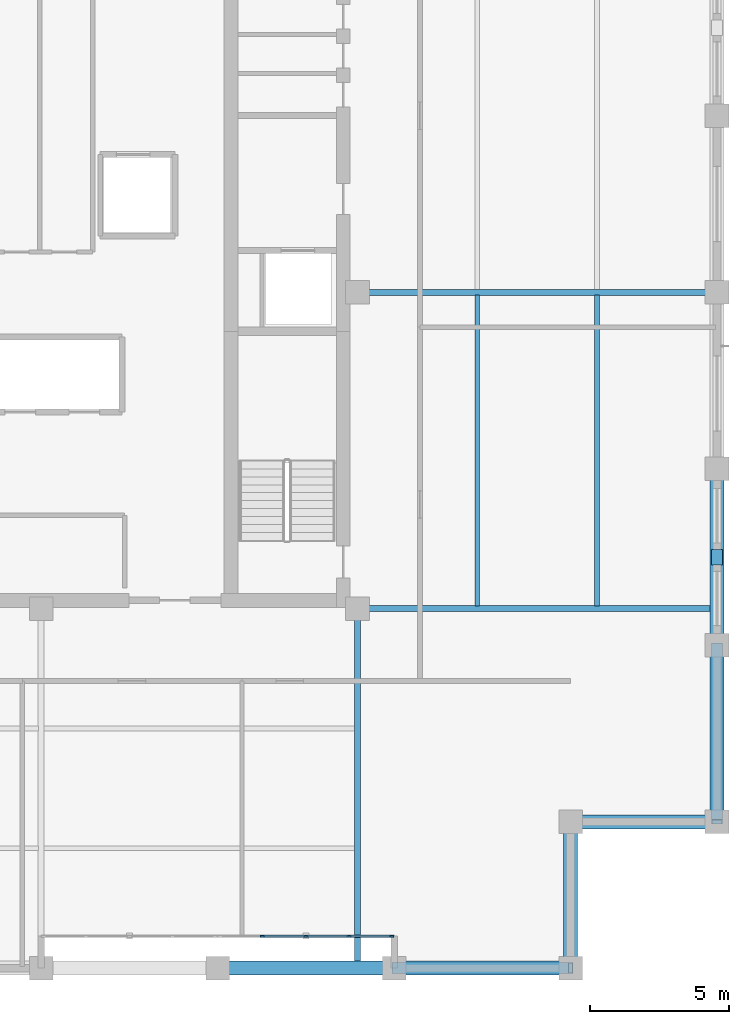
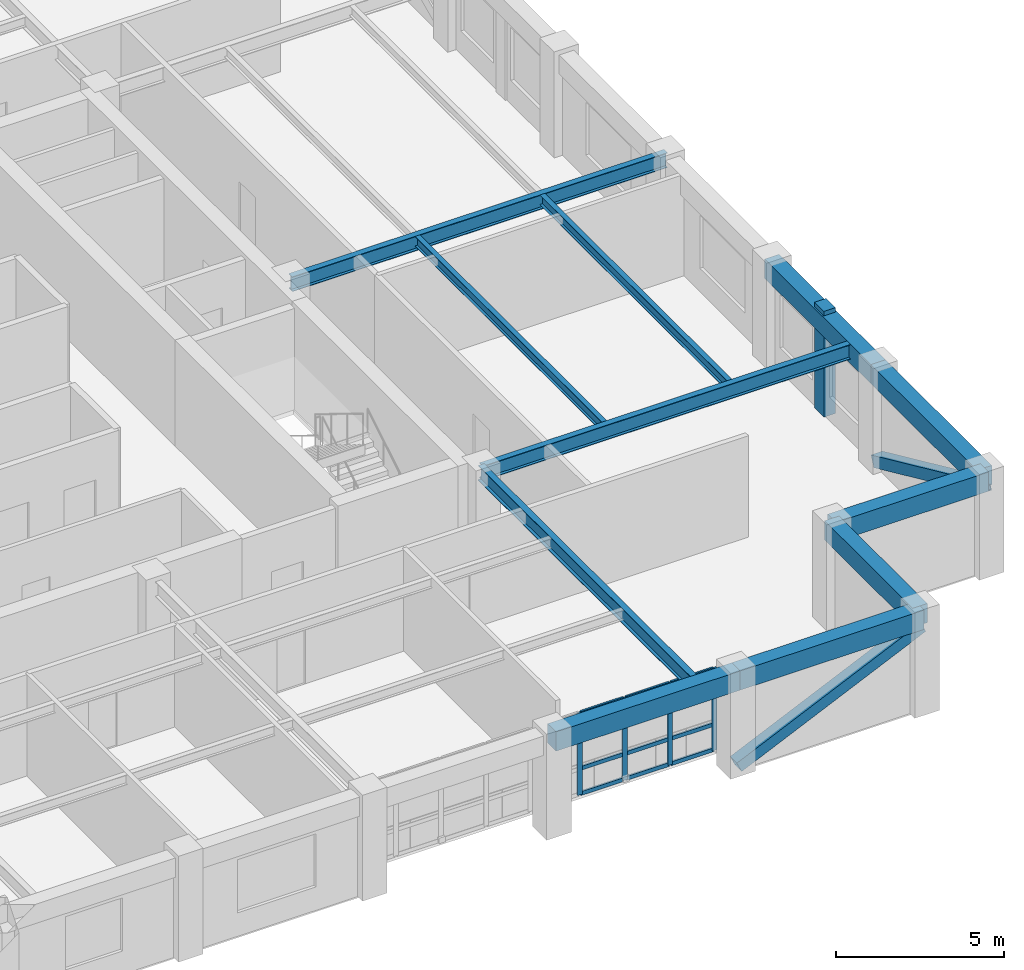
# One storey, part 4 of 13: 16 members, 11 beams, 1 element without a shape of its own.
"""IFC4 building model written with IfcOpenShell, lengths in metres."""

from ifc_helpers import new_model, si_unit, direction, frame, origin, origin_2d, place, context, subcontext, project, spatial, rectangle, hollow_rectangle, i_section, extrude, material, layer, layer_set, material_profile, profile_set, type_object, element, aggregate, save


model = new_model("IFC4")

# Units and contexts
model_context = context("Model", 3, precision=1e-05, world=origin(), true_north=direction((0.0, 1.0)))
body_context = subcontext(model_context, "Body", "Model", "MODEL_VIEW")
ifc_project = project(units=[si_unit("LENGTHUNIT", "METRE"), si_unit("AREAUNIT", "SQUARE_METRE"), si_unit("VOLUMEUNIT", "CUBIC_METRE"), si_unit("PLANEANGLEUNIT", "RADIAN"), si_unit("MASSUNIT", "GRAM", prefix="KILO")], contexts=[model_context])

# Site, building, storey
site_placement = place(None, origin())
site = spatial("IfcSite", under=ifc_project, at=site_placement, CompositionType="ELEMENT")
building_placement = place(site_placement, origin())
building = spatial("IfcBuilding", under=site, at=building_placement, Name="Nhamokura Convention Tower", CompositionType="ELEMENT")
storey_placement = place(building_placement, frame((0.0, 0.0, 206.14990234375)))
storey = spatial("IfcBuildingStorey", under=building, at=storey_placement, Name="L50", CompositionType="ELEMENT", Elevation=206.14990234375)

# Member
ifc_material_1 = material(Name="Bronze-pigmented precast concrete C45/55", Category="concrete")
ifc_material_profile_1 = material_profile(ifc_material_1, rectangle(XDim=0.39990234375, YDim=0.550048828125, at=origin_2d()))
ifc_profile_set_1 = profile_set([ifc_material_profile_1], Name="Bronze-pigmented precast concrete C45/55")
member_type_1 = type_object("IfcMemberType", Name="BronzePilaster_550", PredefinedType="USERDEFINED", material=ifc_profile_set_1)
member_1_placement = place(storey_placement, frame((56.25, 22.5, 0.0), z_axis=(0.0, 0.0, 1.0), x_axis=(1.0, 0.0, 0.0)))
element("IfcMember", 1, at=member_1_placement, inside=storey, type_object=member_type_1, Name="L50 Engaged Frame Pilaster EAST 1", ObjectType="PILASTER_TRIM", PredefinedType="USERDEFINED", context=body_context, shape_type="SweptSolid", body=[
    extrude(rectangle(XDim=0.39990234375, YDim=0.550048828125, at=origin_2d()), origin(), (0.0, 0.0, 1.0), 3.85009765625),
])

# Curtain wall, members
ifc_material_2 = material(Name="Anodised bronze aluminium AA6063-T6", Category="aluminium")
ifc_layer = layer(ifc_material_2, 0.155029296875)
ifc_layer_set = layer_set([ifc_layer], Name="CWSystem_ScaleSlot_Zone3")
curtain_wall_type = type_object("IfcCurtainWallType", Name="CWSystem_ScaleSlot_Zone3", PredefinedType="NOTDEFINED", material=ifc_layer_set)
curtain_wall_placement = place(storey_placement, origin())
curtain_wall = element("IfcCurtainWall", 2, at=curtain_wall_placement, inside=storey, type_object=curtain_wall_type, Name="L50 Curtain Wall ENV-L50-SLOT-S4", PredefinedType="NOTDEFINED")
ifc_material_3 = material(Name="Anodised bronze aluminium AA6063-T6", Category="aluminium")
ifc_material_profile_2 = material_profile(ifc_material_3, rectangle(XDim=0.06494140625, YDim=0.1650390625, at=origin_2d()))
ifc_profile_set_2 = profile_set([ifc_material_profile_2], Name="Anodised bronze aluminium AA6063-T6")
member_type_2 = type_object("IfcMemberType", Name="CWMullion_3", PredefinedType="MULLION", material=ifc_profile_set_2)
member_2_placement = place(storey_placement, frame((44.57421875, 8.89990234375, 0.0), z_axis=(0.0, 0.0, 1.0), x_axis=(0.0, -1.0, 0.0)))
member_2 = element("IfcMember", 3, at=member_2_placement, type_object=member_type_2, Name="CW-05 mullion 1", PredefinedType="MULLION", context=body_context, shape_type="SweptSolid", body=[
    extrude(rectangle(XDim=0.06494140625, YDim=0.1650390625, at=origin_2d()), origin(), (0.0, 0.0, 1.0), 2.985107421875),
])
member_3_placement = place(storey_placement, frame((43.053466796875, 8.89990234375, 0.0), z_axis=(0.0, 0.0, 1.0), x_axis=(0.0, -1.0, 0.0)))
member_3 = element("IfcMember", 4, at=member_3_placement, type_object=member_type_2, Name="CW-05 mullion 2", PredefinedType="MULLION", context=body_context, shape_type="SweptSolid", body=[
    extrude(rectangle(XDim=0.06494140625, YDim=0.1650390625, at=origin_2d()), origin(), (0.0, 0.0, 1.0), 2.985107421875),
])
member_4_placement = place(storey_placement, frame((41.5, 8.89990234375, 0.0), z_axis=(0.0, 0.0, 1.0), x_axis=(0.0, -1.0, 0.0)))
member_4 = element("IfcMember", 5, at=member_4_placement, type_object=member_type_2, Name="CW-05 mullion 3", PredefinedType="MULLION", context=body_context, shape_type="SweptSolid", body=[
    extrude(rectangle(XDim=0.06494140625, YDim=0.1650390625, at=origin_2d()), origin(), (0.0, 0.0, 1.0), 2.985107421875),
])
member_5_placement = place(storey_placement, frame((39.946533203125, 8.89990234375, 0.0), z_axis=(0.0, 0.0, 1.0), x_axis=(0.0, -1.0, 0.0)))
member_5 = element("IfcMember", 6, at=member_5_placement, type_object=member_type_2, Name="CW-05 mullion 4", PredefinedType="MULLION", context=body_context, shape_type="SweptSolid", body=[
    extrude(rectangle(XDim=0.06494140625, YDim=0.1650390625, at=origin_2d()), origin(), (0.0, 0.0, 1.0), 2.985107421875),
])
ifc_material_4 = material(Name="Anodised bronze aluminium AA6063-T6", Category="aluminium")
ifc_material_profile_3 = material_profile(ifc_material_4, rectangle(XDim=0.06494140625, YDim=0.139892578125, at=origin_2d()))
ifc_profile_set_3 = profile_set([ifc_material_profile_3], Name="Anodised bronze aluminium AA6063-T6")
member_type_3 = type_object("IfcMemberType", Name="CWTransom_3", PredefinedType="USERDEFINED", material=ifc_profile_set_3)
member_6_placement = place(storey_placement, frame((44.541748046875, 8.89990234375, 0.03271484375), z_axis=(-1.0, 0.0, 0.0), x_axis=(0.0, -1.0, 0.0)))
member_6 = element("IfcMember", 7, at=member_6_placement, type_object=member_type_3, Name="CW-05 transom 1.1", ObjectType="TRANSOM", PredefinedType="USERDEFINED", context=body_context, shape_type="SweptSolid", body=[
    extrude(rectangle(XDim=0.06494140625, YDim=0.139892578125, at=origin_2d()), origin(), (0.0, 0.0, 1.0), 1.455810546875),
])
member_7_placement = place(storey_placement, frame((44.541748046875, 8.89990234375, 0.9501953125), z_axis=(-1.0, 0.0, 0.0), x_axis=(0.0, -1.0, 0.0)))
member_7 = element("IfcMember", 8, at=member_7_placement, type_object=member_type_3, Name="CW-05 transom 1.2", ObjectType="TRANSOM", PredefinedType="USERDEFINED", context=body_context, shape_type="SweptSolid", body=[
    extrude(rectangle(XDim=0.06494140625, YDim=0.139892578125, at=origin_2d()), origin(), (0.0, 0.0, 1.0), 1.455810546875),
])
member_8_placement = place(storey_placement, frame((44.541748046875, 8.89990234375, 2.95263671875), z_axis=(-1.0, 0.0, 0.0), x_axis=(0.0, -1.0, 0.0)))
member_8 = element("IfcMember", 9, at=member_8_placement, type_object=member_type_3, Name="CW-05 transom 1.3", ObjectType="TRANSOM", PredefinedType="USERDEFINED", context=body_context, shape_type="SweptSolid", body=[
    extrude(rectangle(XDim=0.06494140625, YDim=0.139892578125, at=origin_2d()), origin(), (0.0, 0.0, 1.0), 1.455810546875),
])
member_9_placement = place(storey_placement, frame((43.020751953125, 8.89990234375, 0.03271484375), z_axis=(-1.0, 0.0, 0.0), x_axis=(0.0, -1.0, 0.0)))
member_9 = element("IfcMember", 10, at=member_9_placement, type_object=member_type_3, Name="CW-05 transom 2.1", ObjectType="TRANSOM", PredefinedType="USERDEFINED", context=body_context, shape_type="SweptSolid", body=[
    extrude(rectangle(XDim=0.06494140625, YDim=0.139892578125, at=origin_2d()), origin(), (0.0, 0.0, 1.0), 1.48828125),
])
member_10_placement = place(storey_placement, frame((43.020751953125, 8.89990234375, 0.9501953125), z_axis=(-1.0, 0.0, 0.0), x_axis=(0.0, -1.0, 0.0)))
member_10 = element("IfcMember", 11, at=member_10_placement, type_object=member_type_3, Name="CW-05 transom 2.2", ObjectType="TRANSOM", PredefinedType="USERDEFINED", context=body_context, shape_type="SweptSolid", body=[
    extrude(rectangle(XDim=0.06494140625, YDim=0.139892578125, at=origin_2d()), origin(), (0.0, 0.0, 1.0), 1.48828125),
])
member_11_placement = place(storey_placement, frame((43.020751953125, 8.89990234375, 2.95263671875), z_axis=(-1.0, 0.0, 0.0), x_axis=(0.0, -1.0, 0.0)))
member_11 = element("IfcMember", 12, at=member_11_placement, type_object=member_type_3, Name="CW-05 transom 2.3", ObjectType="TRANSOM", PredefinedType="USERDEFINED", context=body_context, shape_type="SweptSolid", body=[
    extrude(rectangle(XDim=0.06494140625, YDim=0.139892578125, at=origin_2d()), origin(), (0.0, 0.0, 1.0), 1.48828125),
])
member_12_placement = place(storey_placement, frame((41.467529296875, 8.89990234375, 0.03271484375), z_axis=(-1.0, 0.0, 0.0), x_axis=(0.0, -1.0, 0.0)))
member_12 = element("IfcMember", 13, at=member_12_placement, type_object=member_type_3, Name="CW-05 transom 3.1", ObjectType="TRANSOM", PredefinedType="USERDEFINED", context=body_context, shape_type="SweptSolid", body=[
    extrude(rectangle(XDim=0.06494140625, YDim=0.139892578125, at=origin_2d()), origin(), (0.0, 0.0, 1.0), 1.48828125),
])
member_13_placement = place(storey_placement, frame((41.467529296875, 8.89990234375, 0.9501953125), z_axis=(-1.0, 0.0, 0.0), x_axis=(0.0, -1.0, 0.0)))
member_13 = element("IfcMember", 14, at=member_13_placement, type_object=member_type_3, Name="CW-05 transom 3.2", ObjectType="TRANSOM", PredefinedType="USERDEFINED", context=body_context, shape_type="SweptSolid", body=[
    extrude(rectangle(XDim=0.06494140625, YDim=0.139892578125, at=origin_2d()), origin(), (0.0, 0.0, 1.0), 1.48828125),
])
member_14_placement = place(storey_placement, frame((41.467529296875, 8.89990234375, 2.95263671875), z_axis=(-1.0, 0.0, 0.0), x_axis=(0.0, -1.0, 0.0)))
member_14 = element("IfcMember", 15, at=member_14_placement, type_object=member_type_3, Name="CW-05 transom 3.3", ObjectType="TRANSOM", PredefinedType="USERDEFINED", context=body_context, shape_type="SweptSolid", body=[
    extrude(rectangle(XDim=0.06494140625, YDim=0.139892578125, at=origin_2d()), origin(), (0.0, 0.0, 1.0), 1.48828125),
])
aggregate(curtain_wall, [member_2, member_3, member_4, member_5, member_6, member_7, member_8, member_9, member_10, member_11, member_12, member_13, member_14])

# Beams
ifc_material_5 = material(Name="Steel ASTM A992 Gr 50", Category="steel")
ifc_material_profile_4 = material_profile(ifc_material_5, i_section(OverallWidth=0.172119140625, OverallDepth=0.35791015625, WebThickness=0.0078125, FlangeThickness=0.01318359375, at=origin_2d()))
ifc_profile_set_4 = profile_set([ifc_material_profile_4], Name="Steel ASTM A992 Gr 50")
beam_type_1 = type_object("IfcBeamType", Name="FloorJoist_W360X57", PredefinedType="JOIST", material=ifc_profile_set_4)
for number, where, z_axis, x_axis, name in (
    (16, (47.64990234375, 20.75341796875, 3.506103515625), (0.0, 1.0, 0.0), (-1.0, 0.0, 0.0), "L50 Composite Floor Joist E1A"),
    (17, (51.949951171875, 20.75341796875, 3.506103515625), (0.0, 1.0, 0.0), (-1.0, 0.0, 0.0), "L50 Composite Floor Joist E2A"),
):
    element("IfcBeam", number, at=place(storey_placement, frame(where, z_axis=z_axis, x_axis=x_axis)), inside=storey, type_object=beam_type_1, Name=name, PredefinedType="JOIST", context=body_context, shape_type="SweptSolid", body=[
        extrude(i_section(OverallWidth=0.172119140625, OverallDepth=0.35791015625, WebThickness=0.0078125, FlangeThickness=0.01318359375, at=origin_2d()), origin(), (0.0, 0.0, 1.0), 11.14306640625),
    ])
ifc_material_6 = material(Name="Steel ASTM A992 Gr 50", Category="steel")
ifc_material_profile_5 = material_profile(ifc_material_6, i_section(OverallWidth=0.2109375, OverallDepth=0.5390625, WebThickness=0.01171875, FlangeThickness=0.018798828125, at=origin_2d()))
ifc_profile_set_5 = profile_set([ifc_material_profile_5], Name="Steel ASTM A992 Gr 50")
beam_type_2 = type_object("IfcBeamType", Name="PrimaryGirder_W530X109", PredefinedType="BEAM", material=ifc_profile_set_5)
for number, where, z_axis, x_axis, name in (
    (18, (43.35009765625, 7.75, 3.41552734375), (0.0, 1.0, 0.0), (-1.0, 0.0, 0.0), "L50 Primary Floor Girder PG-S3"),
    (19, (43.35009765625, 20.64990234375, 3.41552734375), (1.0, 0.0, 0.0), (0.0, 1.0, 0.0), "L50 Primary Floor Girder PG-E1"),
    (20, (43.35009765625, 32.0, 3.41552734375), (1.0, 0.0, 0.0), (0.0, 1.0, 0.0), "L50 Primary Floor Girder PG-E2"),
):
    element("IfcBeam", number, at=place(storey_placement, frame(where, z_axis=z_axis, x_axis=x_axis)), inside=storey, type_object=beam_type_2, Name=name, PredefinedType="BEAM", context=body_context, shape_type="SweptSolid", body=[
        extrude(i_section(OverallWidth=0.2109375, OverallDepth=0.5390625, WebThickness=0.01171875, FlangeThickness=0.018798828125, at=origin_2d()), origin(), (0.0, 0.0, 1.0), 12.89990234375),
    ])

# Members
ifc_material_7 = material(Name="Steel ASTM A572 Gr 50", Category="steel")
ifc_material_profile_6 = material_profile(ifc_material_7, hollow_rectangle(XDim=0.39990234375, YDim=0.39990234375, WallThickness=0.02001953125, at=origin_2d()))
ifc_profile_set_6 = profile_set([ifc_material_profile_6], Name="Steel ASTM A572 Gr 50")
member_type_4 = type_object("IfcMemberType", Name="TubeBrace_HSS400", PredefinedType="BRACE", material=ifc_profile_set_6)
for number, where, z_axis, x_axis, name in (
    (21, (44.666748046875, 7.75, 0.150146484375), (0.910027379678, 0.0, 0.41454814948), (0.0, 1.0, 0.0), "L50 Perimeter Tube Brace SOUTH Bay 5"),
    (22, (56.25, 19.333251953125, 0.150146484375), (0.0, -0.910027379678, 0.41454814948), (1.0, 0.0, 0.0), "L50 Perimeter Tube Brace EAST Bay 0"),
):
    element("IfcMember", number, at=place(storey_placement, frame(where, z_axis=z_axis, x_axis=x_axis)), inside=storey, type_object=member_type_4, Name=name, PredefinedType="BRACE", context=body_context, shape_type="SweptSolid", body=[
        extrude(hollow_rectangle(XDim=0.39990234375, YDim=0.39990234375, WallThickness=0.02001953125, at=origin_2d()), origin(), (0.0, 0.0, 1.0), 6.95947265625),
    ])

# Beams
ifc_material_8 = material(Name="Concrete C50/60", Category="concrete")
ifc_material_profile_7 = material_profile(ifc_material_8, rectangle(XDim=0.5, YDim=0.699951171875, at=origin_2d()))
ifc_profile_set_7 = profile_set([ifc_material_profile_7], Name="Concrete C50/60")
beam_type_3 = type_object("IfcBeamType", Name="TubeSpandrel_700", PredefinedType="SPANDREL", material=ifc_profile_set_7)
beam_1_placement = place(storey_placement, frame((38.333251953125, 7.75, 3.335205078125), z_axis=(1.0, 0.0, 0.0), x_axis=(0.0, 1.0, 0.0)))
element("IfcBeam", 23, at=beam_1_placement, inside=storey, type_object=beam_type_3, Name="L50 Perimeter Spandrel SOUTH 5", PredefinedType="SPANDREL", context=body_context, shape_type="SweptSolid", body=[
    extrude(rectangle(XDim=0.5, YDim=0.699951171875, at=origin_2d()), origin(), (0.0, 0.0, 1.0), 6.33349609375),
])
for number, where, z_axis, x_axis, name in (
    (24, (44.666748046875, 7.75, 3.335205078125), (1.0, 0.0, 0.0), (0.0, 1.0, 0.0), "L50 Perimeter Spandrel SOUTH 6"),
    (25, (56.25, 13.0, 3.335205078125), (0.0, 1.0, 0.0), (-1.0, 0.0, 0.0), "L50 Perimeter Spandrel EAST 1"),
):
    element("IfcBeam", number, at=place(storey_placement, frame(where, z_axis=z_axis, x_axis=x_axis)), inside=storey, type_object=beam_type_3, Name=name, PredefinedType="SPANDREL", context=body_context, shape_type="SweptSolid", body=[
        extrude(rectangle(XDim=0.5, YDim=0.699951171875, at=origin_2d()), origin(), (0.0, 0.0, 1.0), 6.333251953125),
    ])
beam_2_placement = place(storey_placement, frame((56.25, 19.333251953125, 3.335205078125), z_axis=(0.0, 1.0, 0.0), x_axis=(-1.0, 0.0, 0.0)))
element("IfcBeam", 26, at=beam_2_placement, inside=storey, type_object=beam_type_3, Name="L50 Perimeter Spandrel EAST 2", PredefinedType="SPANDREL", context=body_context, shape_type="SweptSolid", body=[
    extrude(rectangle(XDim=0.5, YDim=0.699951171875, at=origin_2d()), origin(), (0.0, 0.0, 1.0), 6.33349609375),
])
for number, where, z_axis, x_axis, name in (
    (27, (51.0, 7.75, 3.335205078125), (0.0, 1.0, 0.0), (-1.0, 0.0, 0.0), "L50 Notch Spandrel SE1"),
    (28, (51.0, 13.0, 3.335205078125), (1.0, 0.0, 0.0), (0.0, 1.0, 0.0), "L50 Notch Spandrel SE2"),
):
    element("IfcBeam", number, at=place(storey_placement, frame(where, z_axis=z_axis, x_axis=x_axis)), inside=storey, type_object=beam_type_3, Name=name, PredefinedType="SPANDREL", context=body_context, shape_type="SweptSolid", body=[
        extrude(rectangle(XDim=0.5, YDim=0.699951171875, at=origin_2d()), origin(), (0.0, 0.0, 1.0), 5.25),
    ])

save(model, "model.ifc")
